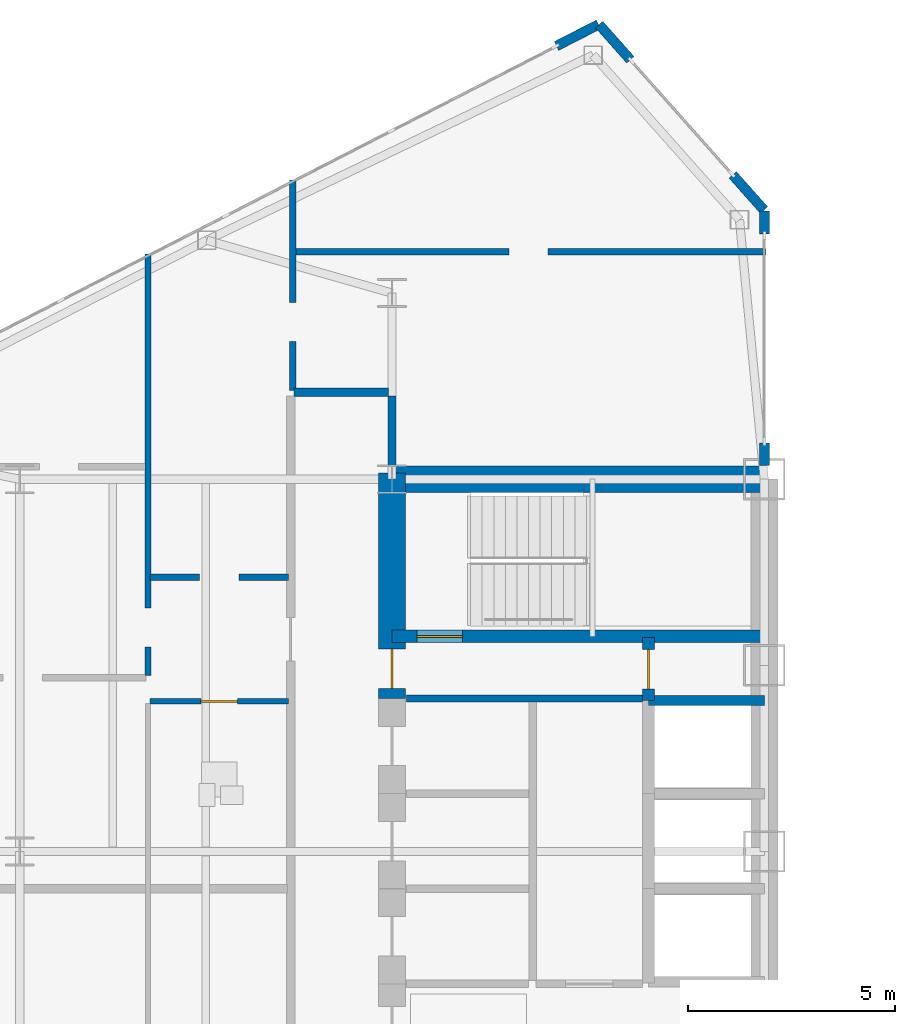
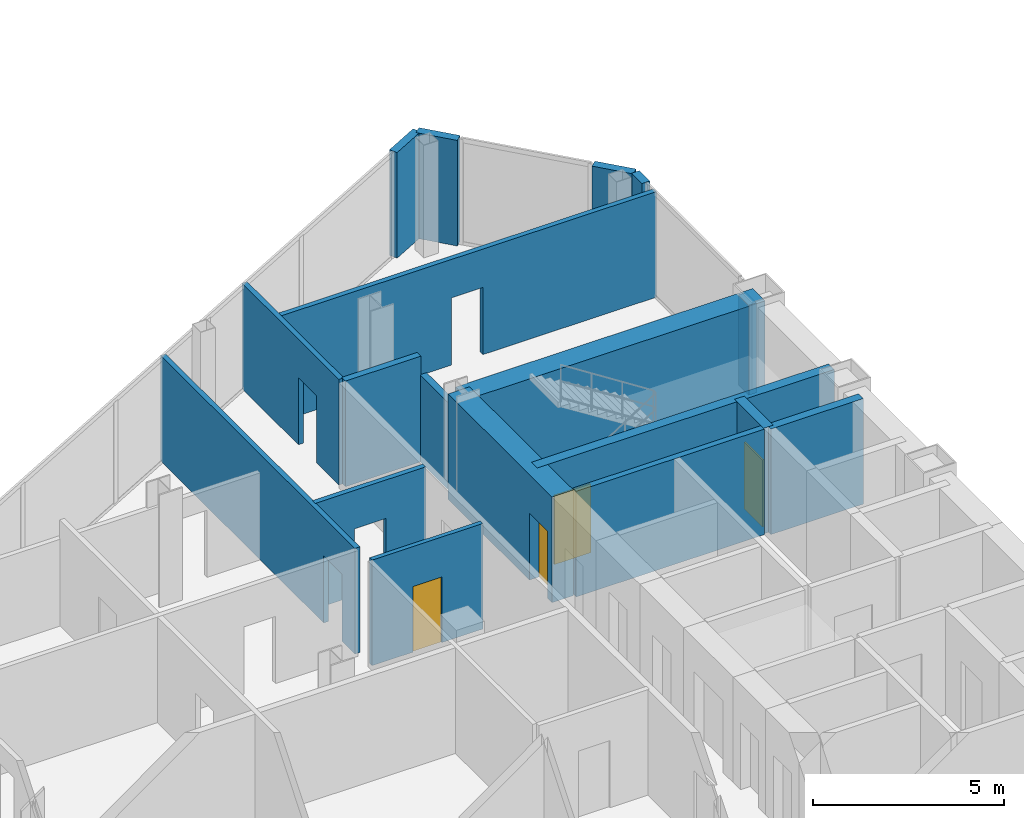
# One storey, part 18 of 24: 18 walls, 4 doors, 8 openings.
"""IFC4 building model written with IfcOpenShell, lengths in metres."""

from ifc_helpers import new_model, si_unit, direction, frame, frame_2d, origin, place, context, subcontext, project, spatial, rectangle, extrude, source, transform, mapped, material, layer, layer_set, type_object, type_shapes, element, fill, save


model = new_model("IFC4")

# Units and contexts
model_context = context("Model", 3, precision=1e-05, world=origin(), true_north=direction((0.0, 1.0)))
body_context = subcontext(model_context, "Body", "Model", "MODEL_VIEW")
ifc_project = project(units=[si_unit("LENGTHUNIT", "METRE"), si_unit("AREAUNIT", "SQUARE_METRE"), si_unit("VOLUMEUNIT", "CUBIC_METRE"), si_unit("PLANEANGLEUNIT", "RADIAN"), si_unit("MASSUNIT", "GRAM", prefix="KILO")], contexts=[model_context])

# Site, building, storey
site_placement = place(None, origin())
site = spatial("IfcSite", under=ifc_project, at=site_placement, CompositionType="ELEMENT")
building_placement = place(site_placement, origin())
building = spatial("IfcBuilding", under=site, at=building_placement, Name="Seokmaru Belvedere", CompositionType="ELEMENT")
storey_placement = place(building_placement, frame((0.0, 0.0, 124.800048828125)))
storey = spatial("IfcBuildingStorey", under=building, at=storey_placement, Name="L33", CompositionType="ELEMENT", Elevation=124.800048828125)

# Wall, opening
ifc_material_1 = material(Name="Fire-Rated Gypsum Shaftwall")
ifc_layer_1 = layer(ifc_material_1, 0.14990234375)
ifc_layer_set_1 = layer_set([ifc_layer_1], Name="Fire-Rated Gypsum Shaftwall")
wall_type_1 = type_object("IfcWallType", Name="Apartment Fire-Acoustic Room Partition 150", PredefinedType="PARTITIONING", material=ifc_layer_set_1)
wall_1_placement = place(storey_placement, frame((-42.35009765625, 11.1298828125, 0.0), z_axis=(0.0, 0.0, 1.0), x_axis=(1.0, 0.0, 0.0)))
wall_1 = element("IfcWall", 1, at=wall_1_placement, inside=storey, type_object=wall_type_1, Name="L33 Interior Partition 022", PredefinedType="PARTITIONING", context=body_context, shape_type="SweptSolid", body=[
    extrude(rectangle(XDim=3.35009765625, YDim=0.14990234375, at=frame_2d((1.675048828125, 0.0))), origin(), (0.0, 0.0, 1.0), 3.3798828125),
])
opening_1_placement = place(wall_1_placement, frame((1.199951171875, 0.0, 0.0)))
element("IfcOpeningElement", 2, at=opening_1_placement, cuts=wall_1, Name="L33 Cased Opening 018", PredefinedType="OPENING", context=body_context, shape_type="SweptSolid", body=[
    extrude(rectangle(XDim=0.949951171875, YDim=2.14990234375, at=frame_2d((0.47509765625, 1.074951171875))), frame((0.0, 0.0849609375, 0.0), z_axis=(0.0, -1.0, 0.0), x_axis=(1.0, 0.0, 0.0)), (0.0, 0.0, 1.0), 0.169921875),
])

wall_2_placement = place(storey_placement, frame((-38.85009765625, 19.0, 0.0), z_axis=(0.0, 0.0, 1.0), x_axis=(1.0, 0.0, 0.0)))
wall_2 = element("IfcWall", 3, at=wall_2_placement, inside=storey, type_object=wall_type_1, Name="L33 Interior Partition 026", PredefinedType="PARTITIONING", context=body_context, shape_type="SweptSolid", body=[
    extrude(rectangle(XDim=11.385009765625, YDim=0.14990234375, at=frame_2d((5.6923828125, 0.0))), origin(), (0.0, 0.0, 1.0), 3.3798828125),
])
opening_2_placement = place(wall_2_placement, frame((5.175048828125, 0.0, 0.0)))
element("IfcOpeningElement", 4, at=opening_2_placement, cuts=wall_2, Name="L33 Cased Opening 028", PredefinedType="OPENING", context=body_context, shape_type="SweptSolid", body=[
    extrude(rectangle(XDim=0.949951171875, YDim=2.14990234375, at=frame_2d((0.47509765625, 1.074951171875))), frame((0.0, 0.0849609375, 0.0), z_axis=(0.0, -1.0, 0.0), x_axis=(1.0, 0.0, 0.0)), (0.0, 0.0, 1.0), 0.169921875),
])

wall_3_placement = place(storey_placement, frame((-42.39990234375, 8.751953125, 0.0), z_axis=(0.0, 0.0, 1.0), x_axis=(0.0, 1.0, 0.0)))
wall_3 = element("IfcWall", 5, at=wall_3_placement, inside=storey, type_object=wall_type_1, Name="L33 Interior Partition 032", PredefinedType="PARTITIONING", context=body_context, shape_type="SweptSolid", body=[
    extrude(rectangle(XDim=10.18994140625, YDim=0.14990234375, at=frame_2d((5.094970703125, 0.0))), origin(), (0.0, 0.0, 1.0), 3.3798828125),
])
opening_3_placement = place(wall_3_placement, frame((0.687744140625, 0.0, 0.0)))
element("IfcOpeningElement", 6, at=opening_3_placement, cuts=wall_3, Name="L33 Cased Opening 019", PredefinedType="OPENING", context=body_context, shape_type="SweptSolid", body=[
    extrude(rectangle(XDim=0.949951171875, YDim=2.14990234375, at=frame_2d((0.47509765625, 1.074951171875))), frame((0.0, 0.0849609375, 0.0), z_axis=(0.0, -1.0, 0.0), x_axis=(1.0, 0.0, 0.0)), (0.0, 0.0, 1.0), 0.169921875),
])

wall_4_placement = place(storey_placement, frame((-38.89990234375, 15.64990234375, 0.0), z_axis=(0.0, 0.0, 1.0), x_axis=(0.0, 1.0, 0.0)))
wall_4 = element("IfcWall", 7, at=wall_4_placement, inside=storey, type_object=wall_type_1, Name="L33 Interior Partition 034", PredefinedType="PARTITIONING", context=body_context, shape_type="SweptSolid", body=[
    extrude(rectangle(XDim=5.088134765625, YDim=0.14990234375, at=frame_2d((2.5439453125, 0.0))), origin(), (0.0, 0.0, 1.0), 3.3798828125),
])
opening_4_placement = place(wall_4_placement, frame((1.175048828125, 0.0, 0.0)))
element("IfcOpeningElement", 8, at=opening_4_placement, cuts=wall_4, Name="L33 Cased Opening 027", PredefinedType="OPENING", context=body_context, shape_type="SweptSolid", body=[
    extrude(rectangle(XDim=0.949951171875, YDim=2.14990234375, at=frame_2d((0.47509765625, 1.074951171875))), frame((0.0, 0.0849609375, 0.0), z_axis=(0.0, -1.0, 0.0), x_axis=(1.0, 0.0, 0.0)), (0.0, 0.0, 1.0), 0.169921875),
])

# Walls
ifc_layer_2 = layer(ifc_material_1, 0.179931640625)
ifc_layer_set_2 = layer_set([ifc_layer_2], Name="Fire-Rated Gypsum Shaftwall")
wall_type_2 = type_object("IfcWallType", Name="Core Service Fire Partition 180", PredefinedType="PARTITIONING", material=ifc_layer_set_2)
wall_5_placement = place(storey_placement, frame((-36.14990234375, 8.199951171875, 0.0), z_axis=(0.0, 0.0, 1.0), x_axis=(1.0, 0.0, 0.0)))
element("IfcWall", 9, at=wall_5_placement, inside=storey, type_object=wall_type_2, Name="L33 West Smokeproof Vestibule Partition", PredefinedType="PARTITIONING", context=body_context, shape_type="SweptSolid", body=[
    extrude(rectangle(XDim=5.699951171875, YDim=0.179931640625, at=frame_2d((2.85009765625, 0.0))), origin(), (0.0, 0.0, 1.0), 3.3798828125),
])
ifc_material_2 = material(Name="Concrete C50 (50 MPa)", Category="concrete")
ifc_layer_3 = layer(ifc_material_2, 0.25)
ifc_layer_set_3 = layer_set([ifc_layer_3], Name="Concrete C50 (50 MPa)")
wall_type_3 = type_object("IfcWallType", Name="Hoistway Transverse Concrete Divider Wall 250", PredefinedType="SHEAR", material=ifc_layer_set_3)
wall_6_placement = place(storey_placement, frame((-30.300048828125, 8.14990234375, 0.0), z_axis=(0.0, 0.0, 1.0), x_axis=(1.0, 0.0, 0.0)))
element("IfcWall", 10, at=wall_6_placement, inside=storey, type_object=wall_type_3, Name="L33 West Hoistway Divider Core Wall 7", PredefinedType="SHEAR", context=body_context, shape_type="SweptSolid", body=[
    extrude(rectangle(XDim=2.800048828125, YDim=0.25, at=frame_2d((1.39990234375, 0.0))), origin(), (0.0, 0.0, 1.0), 3.3798828125),
])
ifc_layer_4 = layer(ifc_material_1, 0.199951171875)
ifc_layer_set_4 = layer_set([ifc_layer_4], Name="Fire-Rated Gypsum Shaftwall")
wall_type_4 = type_object("IfcWallType", Name="Inter-Tenancy Fire Compartment Partition 200", PredefinedType="PARTITIONING", material=ifc_layer_set_4)
wall_7_placement = place(storey_placement, frame((-38.864990234375, 15.60009765625, 0.0), z_axis=(0.0, 0.0, 1.0), x_axis=(1.0, 0.0, 0.0)))
element("IfcWall", 11, at=wall_7_placement, inside=storey, type_object=wall_type_4, Name="L33 Interior Partition 024", PredefinedType="PARTITIONING", context=body_context, shape_type="SweptSolid", body=[
    extrude(rectangle(XDim=2.280029296875, YDim=0.199951171875, at=frame_2d((1.14013671875, 0.0))), origin(), (0.0, 0.0, 1.0), 3.3798828125),
])
wall_8_placement = place(storey_placement, frame((-36.5, 13.830078125, 0.0), z_axis=(0.0, 0.0, 1.0), x_axis=(0.0, 1.0, 0.0)))
element("IfcWall", 12, at=wall_8_placement, inside=storey, type_object=wall_type_4, Name="L33 Interior Partition 036", PredefinedType="PARTITIONING", context=body_context, shape_type="SweptSolid", body=[
    extrude(rectangle(XDim=1.684814453125, YDim=0.199951171875, at=frame_2d((0.84228515625, 0.0))), origin(), (0.0, 0.0, 1.0), 2.780029296875),
])

# Wall, opening, door
ifc_layer_5 = layer(ifc_material_2, 0.300048828125)
ifc_layer_set_5 = layer_set([ifc_layer_5], Name="Concrete C50 (50 MPa)")
wall_type_5 = type_object("IfcWallType", Name="Internal Core Stair and Hoistway Wall 300", PredefinedType="SHEAR", material=ifc_layer_set_5)
wall_9_placement = place(storey_placement, frame((-36.5, 9.699951171875, 0.0), z_axis=(0.0, 0.0, 1.0), x_axis=(1.0, 0.0, 0.0)))
wall_9 = element("IfcWall", 13, at=wall_9_placement, inside=storey, type_object=wall_type_5, Name="L33 West Stair ST-2 Enclosure Wall", PredefinedType="SHEAR", context=body_context, shape_type="SweptSolid", body=[
    extrude(rectangle(XDim=9.0, YDim=0.300048828125, at=frame_2d((4.5, 0.0))), origin(), (0.0, 0.0, 1.0), 3.3798828125),
])
opening_5_placement = place(wall_9_placement, frame((0.60009765625, 0.0, 0.0)))
opening_5 = element("IfcOpeningElement", 14, at=opening_5_placement, cuts=wall_9, Name="Opening D01", PredefinedType="OPENING", context=body_context, shape_type="SweptSolid", body=[
    extrude(rectangle(XDim=1.10009765625, YDim=2.199951171875, at=frame_2d((0.550048828125, 1.10009765625))), frame((0.0, 0.16015625, 0.0), z_axis=(0.0, -1.0, 0.0), x_axis=(1.0, 0.0, 0.0)), (0.0, 0.0, 1.0), 0.320068359375),
])
ifc_material_3 = material(Name="Fire-Rated Steel Leaf", Category="steel")
door_type_1 = type_object("IfcDoorType", Name="Special Escape Stair Smokeproof Fire Door 1100x2200", OperationType="NOTDEFINED", PredefinedType="DOOR", material=ifc_material_3)
shared_shape_1 = source(origin(), body_context, "Body", "SweptSolid", [
    extrude(rectangle(XDim=1.10009765625, YDim=2.199951171875, at=frame_2d((0.550048828125, 1.10009765625))), frame((0.0, 0.02490234375, 0.0), z_axis=(0.0, -1.0, 0.0), x_axis=(1.0, 0.0, 0.0)), (0.0, 0.0, 1.0), 0.050048828125),
])
type_shapes(door_type_1, [shared_shape_1])
door_1_placement = place(opening_5_placement, origin())
door_1 = element("IfcDoor", 15, at=door_1_placement, inside=storey, type_object=door_type_1, Name="L33 West Special Escape Stair ST-2 Door", OperationType="SINGLE_SWING_RIGHT", OverallHeight=2.199951171875, OverallWidth=1.10009765625, PredefinedType="DOOR", context=body_context, shape_type="MappedRepresentation", body=[
    mapped(shared_shape_1, transform((0.0, 0.0, 0.0), scale=1.0)),
])
fill(opening_5, door_1)

wall_10_placement = place(storey_placement, frame((-30.300048828125, 8.14990234375, 0.0), z_axis=(0.0, 0.0, 1.0), x_axis=(0.0, 1.0, 0.0)))
wall_10 = element("IfcWall", 16, at=wall_10_placement, inside=storey, type_object=wall_type_5, Name="L33 West Electrical Riser Front Wall", PredefinedType="SHEAR", context=body_context, shape_type="SweptSolid", body=[
    extrude(rectangle(XDim=1.530029296875, YDim=0.300048828125, at=frame_2d((0.76513671875, 0.0))), origin(), (0.0, 0.0, 1.0), 3.3798828125),
])
opening_6_placement = place(wall_10_placement, frame((0.284912109375, 0.0, 0.0)))
opening_6 = element("IfcOpeningElement", 17, at=opening_6_placement, cuts=wall_10, Name="Opening D04", PredefinedType="OPENING", context=body_context, shape_type="SweptSolid", body=[
    extrude(rectangle(XDim=0.949951171875, YDim=2.14990234375, at=frame_2d((0.47509765625, 1.074951171875))), frame((0.0, 0.16015625, 0.0), z_axis=(0.0, -1.0, 0.0), x_axis=(1.0, 0.0, 0.0)), (0.0, 0.0, 1.0), 0.320068359375),
])
door_type_2 = type_object("IfcDoorType", Name="Core Service Room Fire Door 950x2150", OperationType="NOTDEFINED", PredefinedType="DOOR", material=ifc_material_3)
shared_shape_2 = source(origin(), body_context, "Body", "SweptSolid", [
    extrude(rectangle(XDim=0.949951171875, YDim=2.14990234375, at=frame_2d((0.47509765625, 1.074951171875))), frame((0.0, 0.02490234375, 0.0), z_axis=(0.0, -1.0, 0.0), x_axis=(1.0, 0.0, 0.0)), (0.0, 0.0, 1.0), 0.050048828125),
])
type_shapes(door_type_2, [shared_shape_2])
door_2_placement = place(opening_6_placement, origin())
door_2 = element("IfcDoor", 18, at=door_2_placement, inside=storey, type_object=door_type_2, Name="L33 West Electrical Riser Access Door", OperationType="SINGLE_SWING_LEFT", OverallHeight=2.14990234375, OverallWidth=0.949951171875, PredefinedType="DOOR", context=body_context, shape_type="MappedRepresentation", body=[
    mapped(shared_shape_2, transform((0.0, 0.0, 0.0), scale=1.0)),
])
fill(opening_6, door_2)

# Wall
ifc_material_4 = material(Name="Concrete C60 (60 MPa)", Category="concrete")
ifc_layer_6 = layer(ifc_material_4, 0.64990234375)
ifc_layer_set_6 = layer_set([ifc_layer_6], Name="Concrete C60 (60 MPa)")
wall_type_6 = type_object("IfcWallType", Name="Mid-Low Reinforced Concrete Core Wall 650", PredefinedType="SHEAR", material=ifc_layer_set_6)
wall_11_placement = place(storey_placement, frame((-36.5, 13.5, 0.0), z_axis=(0.0, 0.0, 1.0), x_axis=(1.0, 0.0, 0.0)))
element("IfcWall", 19, at=wall_11_placement, inside=storey, type_object=wall_type_6, Name="L33 West North Core Wall", PredefinedType="SHEAR", context=body_context, shape_type="SweptSolid", body=[
    extrude(rectangle(XDim=9.0, YDim=0.64990234375, at=frame_2d((4.5, 0.0))), origin(), (0.0, 0.0, 1.0), 3.3798828125),
])

# Wall, opening, door
wall_12_placement = place(storey_placement, frame((-36.5, 8.199951171875, 0.0), z_axis=(0.0, 0.0, 1.0), x_axis=(0.0, 1.0, 0.0)))
wall_12 = element("IfcWall", 20, at=wall_12_placement, inside=storey, type_object=wall_type_6, Name="L33 West West Core Wall VST", PredefinedType="SHEAR", context=body_context, shape_type="SweptSolid", body=[
    extrude(rectangle(XDim=5.449951171875, YDim=0.64990234375, at=frame_2d((2.72509765625, 0.0))), origin(), (0.0, 0.0, 1.0), 3.3798828125),
])
opening_7_placement = place(wall_12_placement, frame((0.2451171875, 0.0, 0.0)))
opening_7 = element("IfcOpeningElement", 21, at=opening_7_placement, cuts=wall_12, Name="Opening D04", PredefinedType="OPENING", context=body_context, shape_type="SweptSolid", body=[
    extrude(rectangle(XDim=0.949951171875, YDim=2.14990234375, at=frame_2d((0.47509765625, 1.074951171875))), frame((0.0, 0.3349609375, 0.0), z_axis=(0.0, -1.0, 0.0), x_axis=(1.0, 0.0, 0.0)), (0.0, 0.0, 1.0), 0.669921875),
])
door_3_placement = place(opening_7_placement, frame((0.949951171875, 0.0, 0.0), z_axis=(0.0, 0.0, 1.0), x_axis=(-1.0, 0.0, 0.0)))
door_3 = element("IfcDoor", 22, at=door_3_placement, inside=storey, type_object=door_type_2, Name="L33 West Smokeproof Vestibule Door", OperationType="SINGLE_SWING_RIGHT", OverallHeight=2.14990234375, OverallWidth=0.949951171875, PredefinedType="DOOR", context=body_context, shape_type="MappedRepresentation", body=[
    mapped(shared_shape_2, transform((0.0, 0.0, 0.0), scale=1.0)),
])
fill(opening_7, door_3)

ifc_layer_7 = layer(ifc_material_1, 0.1298828125)
ifc_layer_set_7 = layer_set([ifc_layer_7], Name="Fire-Rated Gypsum Shaftwall")
wall_type_7 = type_object("IfcWallType", Name="Moisture-Resistant Fire-Rated Bathroom Partition 130", PredefinedType="PARTITIONING", material=ifc_layer_set_7)
wall_13_placement = place(storey_placement, frame((-42.35009765625, 8.1298828125, 0.0), z_axis=(0.0, 0.0, 1.0), x_axis=(1.0, 0.0, 0.0)))
wall_13 = element("IfcWall", 23, at=wall_13_placement, inside=storey, type_object=wall_type_7, Name="L33 Interior Partition 019", PredefinedType="PARTITIONING", context=body_context, shape_type="SweptSolid", body=[
    extrude(rectangle(XDim=3.35009765625, YDim=0.1298828125, at=frame_2d((1.675048828125, 0.0))), origin(), (0.0, 0.0, 1.0), 3.3798828125),
])
opening_8_placement = place(wall_13_placement, frame((1.235107421875, 0.0, 0.0)))
opening_8 = element("IfcOpeningElement", 24, at=opening_8_placement, cuts=wall_13, Name="Opening D06", PredefinedType="OPENING", context=body_context, shape_type="SweptSolid", body=[
    extrude(rectangle(XDim=0.8798828125, YDim=2.10009765625, at=frame_2d((0.43994140625, 1.050048828125))), frame((0.0, 0.074951171875, 0.0), z_axis=(0.0, -1.0, 0.0), x_axis=(1.0, 0.0, 0.0)), (0.0, 0.0, 1.0), 0.14990234375),
])
ifc_material_5 = material(Name="Engineered White Oak Timber", Category="wood")
door_type_3 = type_object("IfcDoorType", Name="Bathroom and Restroom Fire-Rated Door 880x2100", OperationType="NOTDEFINED", PredefinedType="DOOR", material=ifc_material_5)
shared_shape_3 = source(origin(), body_context, "Body", "SweptSolid", [
    extrude(rectangle(XDim=0.8798828125, YDim=2.10009765625, at=frame_2d((0.43994140625, 1.050048828125))), frame((0.0, 0.02490234375, 0.0), z_axis=(0.0, -1.0, 0.0), x_axis=(1.0, 0.0, 0.0)), (0.0, 0.0, 1.0), 0.050048828125),
])
type_shapes(door_type_3, [shared_shape_3])
door_4_placement = place(opening_8_placement, origin())
door_4 = element("IfcDoor", 25, at=door_4_placement, inside=storey, type_object=door_type_3, Name="L33 Interior Door 017", OperationType="SINGLE_SWING_LEFT", OverallHeight=2.10009765625, OverallWidth=0.8798828125, PredefinedType="DOOR", context=body_context, shape_type="MappedRepresentation", body=[
    mapped(shared_shape_3, transform((0.0, 0.0, 0.0), scale=1.0)),
])
fill(opening_8, door_4)

# Walls
ifc_material_6 = material(Name="Anodised Bronze Aluminium", Category="aluminium")
ifc_layer_8 = layer(ifc_material_6, 0.239990234375)
ifc_layer_set_8 = layer_set([ifc_layer_8], Name="Anodised Bronze Aluminium")
wall_type_8 = type_object("IfcWallType", Name="Tower Corner Spandrel Closure Wall 240", PredefinedType="SOLIDWALL", material=ifc_layer_set_8)
wall_14_placement = place(storey_placement, frame((-27.5, 13.830078125, 0.0), z_axis=(0.0, 0.0, 1.0), x_axis=(0.0, 1.0, 0.0)))
element("IfcWall", 26, at=wall_14_placement, inside=storey, type_object=wall_type_8, Name="L33 W Spine Closure Pier 2A", PredefinedType="SOLIDWALL", context=body_context, shape_type="SweptSolid", body=[
    extrude(rectangle(XDim=0.5498046875, YDim=0.239990234375, at=frame_2d((0.27490234375, 0.0))), origin(), (0.0, 0.0, 1.0), 2.8798828125),
])
wall_15_placement = place(storey_placement, frame((-27.5, 19.429931640625, 0.0), z_axis=(0.0, 0.0, 1.0), x_axis=(0.0, 1.0, 0.0)))
element("IfcWall", 27, at=wall_15_placement, inside=storey, type_object=wall_type_8, Name="L33 W Spine Closure Pier 2B", PredefinedType="SOLIDWALL", context=body_context, shape_type="SweptSolid", body=[
    extrude(rectangle(XDim=0.550048828125, YDim=0.239990234375, at=frame_2d((0.27490234375, 0.0))), origin(), (0.0, 0.0, 1.0), 3.3798828125),
])
for number, where, z_axis, x_axis, name in (
    (28, (-27.506591796875, 20.007568359375, 0.0), (0.0, 0.0, 1.0), (-0.664337252513, 0.747432950119, 0.0), "L33 W Corner Closure Pier 2A"),
    (29, (-30.736083984375, 23.640380859375, 0.0), (0.0, 0.0, 1.0), (-0.664337252513, 0.747432950119, 0.0), "L33 W Corner Closure Pier 2B"),
):
    element("IfcWall", number, at=place(storey_placement, frame(where, z_axis=z_axis, x_axis=x_axis)), inside=storey, type_object=wall_type_8, Name=name, PredefinedType="SOLIDWALL", context=body_context, shape_type="SweptSolid", body=[
        extrude(rectangle(XDim=1.139892578125, YDim=0.239990234375, at=frame_2d((0.56982421875, 0.0))), origin(), (0.0, 0.0, 1.0), 3.3798828125),
    ])
wall_16_placement = place(storey_placement, frame((-31.5087890625, 24.495361328125, 0.0), z_axis=(0.0, 0.0, 1.0), x_axis=(-0.889797395748, -0.456355776255, 0.0)))
element("IfcWall", 30, at=wall_16_placement, inside=storey, type_object=wall_type_8, Name="L33 W Corner Closure Pier 3A", PredefinedType="SOLIDWALL", context=body_context, shape_type="SweptSolid", body=[
    extrude(rectangle(XDim=1.14013671875, YDim=0.239990234375, at=frame_2d((0.570068359375, 0.0))), origin(), (0.0, 0.0, 1.0), 3.3798828125),
])

save(model, "model.ifc")
